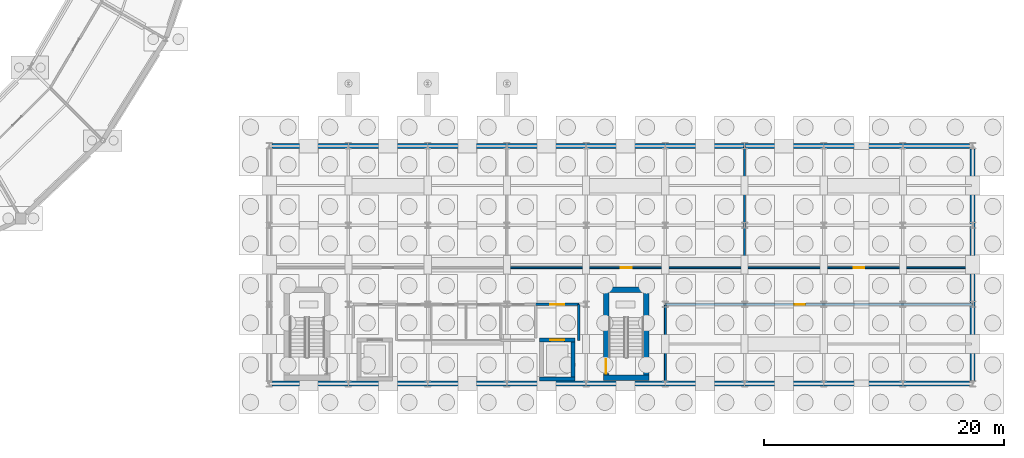
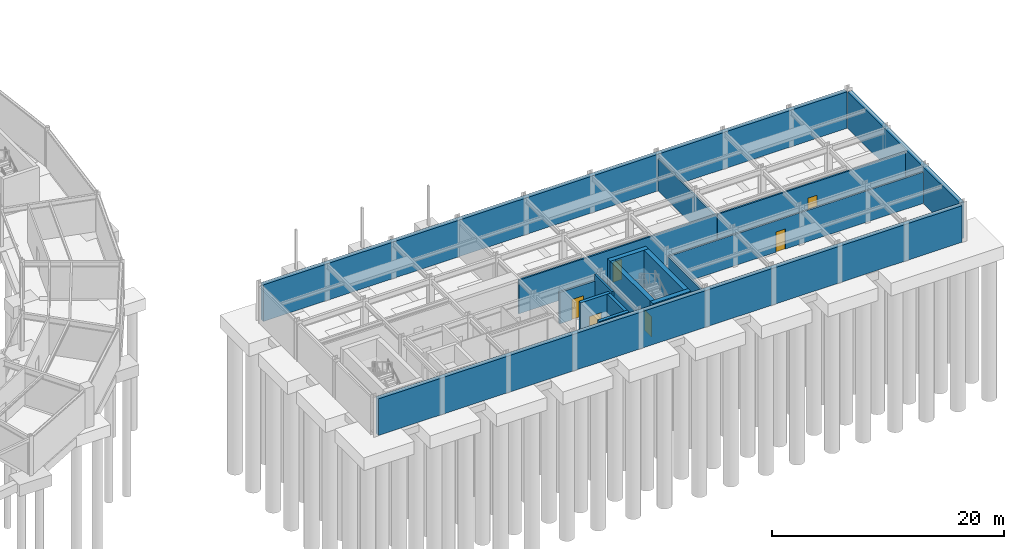
# One storey, part 48 of 58: 17 walls, 6 doors, 6 openings.
"""IFC4 building model written with IfcOpenShell, lengths in metres."""

import ifcopenshell
import ifcopenshell.guid

model = None  # the IFC model being written
_history = None  # IfcOwnerHistory: only IFC2X3 demands one
_inside = {}  # id of a spatial element -> (the spatial element, [elements in it])
_under = {}  # id of a project, library or spatial element -> (it, [spatial elements below it])
_declared = {}  # id of a project -> (the project, [libraries it declares])
_typed = {}  # id of a type object -> (the type object, [elements of that type])
_made_of = {}  # id of a material, layer set ... -> (it, [elements and type objects made of it])


def new_model(schema):
    """Start an empty IFC model of exactly this schema.

    Asked for "IFC4X3", IfcOpenShell would pick the latest addendum, in which some entities
    have other attributes; the version numbers below select the first issue.
    IFC2X3 requires an IfcOwnerHistory on every rooted entity: one is made here for all.
    """
    global model, _history
    if schema == "IFC4X3":
        model = ifcopenshell.file(schema_version=(4, 3, 0, 0))
    else:
        model = ifcopenshell.file(schema=schema)
    _inside.clear()
    _under.clear()
    _declared.clear()
    _typed.clear()
    _made_of.clear()
    _history = None
    if model.schema == "IFC2X3":
        org = make("IfcOrganization", Name="unknown")
        user = make(
            "IfcPersonAndOrganization",
            ThePerson=make("IfcPerson", FamilyName="unknown"),
            TheOrganization=org,
        )
        app = make(
            "IfcApplication",
            ApplicationDeveloper=org,
            Version="unknown",
            ApplicationFullName="unknown",
            ApplicationIdentifier="unknown",
        )
        _history = make(
            "IfcOwnerHistory",
            OwningUser=user,
            OwningApplication=app,
            ChangeAction="ADDED",
            CreationDate=0,
        )
    return model


def make(cls, **values):
    """One entity of the class cls with the attributes given. An attribute that is None is left unset."""
    return model.create_entity(
        cls, **{name: value for name, value in values.items() if value is not None}
    )


def rooted(cls, **values):
    """An entity with a GlobalId (a new one), such as an element, a storey or a relation."""
    return make(cls, GlobalId=ifcopenshell.guid.new(), OwnerHistory=_history, **values)


def si_unit(unit_type, name, prefix=None):
    """IfcSIUnit, for example si_unit("LENGTHUNIT", "METRE", prefix="MILLI")."""
    return make("IfcSIUnit", UnitType=unit_type, Prefix=prefix, Name=name)


def assignment(units):
    """IfcUnitAssignment: the units of a project."""
    return None if units is None else make("IfcUnitAssignment", Units=units)


def point(xyz):
    """IfcCartesianPoint."""
    return None if xyz is None else make("IfcCartesianPoint", Coordinates=xyz)


def direction(xyz):
    """IfcDirection."""
    return None if xyz is None else make("IfcDirection", DirectionRatios=xyz)


def frame(location, z_axis=None, x_axis=None):
    """IfcAxis2Placement3D, a coordinate frame: its origin and axes. An axis left out is left unset."""
    return make(
        "IfcAxis2Placement3D",
        Location=point(location),
        Axis=direction(z_axis),
        RefDirection=direction(x_axis),
    )


def frame_2d(location, x_axis=None):
    """IfcAxis2Placement2D, a coordinate frame in the plane: its origin and x axis."""
    return make(
        "IfcAxis2Placement2D", Location=point(location), RefDirection=direction(x_axis)
    )


def origin():
    """The frame at (0, 0, 0) with its axes left unset."""
    return frame((0.0, 0.0, 0.0))


def place(relative_to, where):
    """IfcLocalPlacement: puts the frame where relative to a parent placement (None: the world)."""
    return make(
        "IfcLocalPlacement", PlacementRelTo=relative_to, RelativePlacement=where
    )


def context(
    kind, dimensions, precision=None, world=None, true_north=None, identifier=None
):
    """IfcGeometricRepresentationContext, for example the 3D "Model" context."""
    return make(
        "IfcGeometricRepresentationContext",
        ContextIdentifier=identifier,
        ContextType=kind,
        CoordinateSpaceDimension=dimensions,
        Precision=precision,
        WorldCoordinateSystem=world,
        TrueNorth=true_north,
    )


def subcontext(parent, identifier, kind, view, scale=None):
    """IfcGeometricRepresentationSubContext, for example "Body" below "Model"."""
    return make(
        "IfcGeometricRepresentationSubContext",
        ContextIdentifier=identifier,
        ContextType=kind,
        ParentContext=parent,
        TargetScale=scale,
        TargetView=view,
    )


def project(units=None, contexts=None):
    """IfcProject with its units and contexts."""
    return rooted(
        "IfcProject",
        Name="project",
        RepresentationContexts=contexts,
        UnitsInContext=assignment(units),
    )


def spatial(cls, under=None, at=None, **own):
    """A site, building, storey or space (cls), placed at a placement, below another one or the project."""
    s = rooted(cls, ObjectPlacement=at, **own)
    if under is not None:
        _under.setdefault(under.id(), (under, []))[1].append(s)
    return s


def profile(cls, at=None, kind="AREA", **sizes):
    """A parametric profile (cls). Its sizes go by their IFC names, for example OverallWidth=200.0."""
    return make(cls, ProfileType=kind, Position=at, **sizes)


def rectangle(**sizes):
    """IfcRectangleProfileDef."""
    return profile("IfcRectangleProfileDef", **sizes)


def extrude(swept, where, along, depth):
    """IfcExtrudedAreaSolid: the profile swept, set in the frame where, extruded along a direction by depth."""
    return make(
        "IfcExtrudedAreaSolid",
        SweptArea=swept,
        Position=where,
        ExtrudedDirection=direction(along),
        Depth=depth,
    )


def shape(context_of_items, identifier, shape_type, items):
    """IfcShapeRepresentation: the items that make up one representation, for example the "Body"."""
    return make(
        "IfcShapeRepresentation",
        ContextOfItems=context_of_items,
        RepresentationIdentifier=identifier,
        RepresentationType=shape_type,
        Items=items,
    )


def material(Name=None, Category=None):
    """IfcMaterial."""
    return make("IfcMaterial", Name=Name, Category=Category)


def layer(
    of_material, thickness, ventilated=None, Name=None, Category=None, Priority=None
):
    """IfcMaterialLayer: one layer of a wall or slab, of a material (None: an air gap)."""
    return make(
        "IfcMaterialLayer",
        Material=of_material,
        LayerThickness=thickness,
        IsVentilated=ventilated,
        Name=Name,
        Category=Category,
        Priority=Priority,
    )


def layer_set(layers, Name=None):
    """IfcMaterialLayerSet."""
    return make("IfcMaterialLayerSet", MaterialLayers=layers, LayerSetName=Name)


def made_of(thing, what):
    """Note that an element or type object is made of a material, layer set ...; save() writes the relation."""
    if what is not None:
        _made_of.setdefault(what.id(), (what, []))[1].append(thing)
    return thing


def type_object(cls, material=None, **own):
    """A type object (cls), such as IfcWallType, which elements share."""
    return made_of(rooted(cls, **own), material)


def element(
    cls,
    number,
    at=None,
    inside=None,
    cuts=None,
    type_object=None,
    material=None,
    context=None,
    identifier="Body",
    shape_type=None,
    held_by="IfcProductDefinitionShape",
    body=None,
    shapes=None,
    **own,
):
    """One element of the class cls, such as IfcWall. Its Tag is "e" and its number.

    at: its placement. inside: the storey or other place that contains it. cuts: it is an
    opening in that element (IfcRelVoidsElement). A single representation is given by context,
    identifier, shape_type and body (its items); several are given by shapes. held_by: the class
    of the entity that holds the representations. save() writes the other relations.
    """
    e = rooted(cls, Tag="e%d" % number, ObjectPlacement=at, **own)
    if body is not None:
        shapes = [shape(context, identifier, shape_type, body)]
    if shapes is not None:
        e.Representation = make(held_by, Representations=shapes)
    if inside is not None:
        _inside.setdefault(inside.id(), (inside, []))[1].append(e)
    if cuts is not None:
        rooted(
            "IfcRelVoidsElement", RelatingBuildingElement=cuts, RelatedOpeningElement=e
        )
    if type_object is not None:
        _typed.setdefault(type_object.id(), (type_object, []))[1].append(e)
    return made_of(e, material)


def fill(opening, filler):
    """IfcRelFillsElement: the door or window that sits in an opening."""
    return rooted(
        "IfcRelFillsElement",
        RelatingOpeningElement=opening,
        RelatedBuildingElement=filler,
    )


def aggregate(whole, parts):
    """IfcRelAggregates: a whole, such as a stair, and the parts it consists of."""
    return rooted("IfcRelAggregates", RelatingObject=whole, RelatedObjects=parts)


def save(model, path):
    """Write the relations noted so far, then the file.

    IfcRelAggregates (storeys below a building ...), IfcRelContainedInSpatialStructure (elements
    in a storey), IfcRelDefinesByType, IfcRelAssociatesMaterial and IfcRelDeclares: one each for
    every whole, place, type object, material and project.
    """
    for whole, parts in _under.values():
        aggregate(whole, parts)
    for where, things in _inside.values():
        rooted(
            "IfcRelContainedInSpatialStructure",
            RelatedElements=things,
            RelatingStructure=where,
        )
    for kind, things in _typed.values():
        rooted("IfcRelDefinesByType", RelatedObjects=things, RelatingType=kind)
    for what, things in _made_of.values():
        rooted("IfcRelAssociatesMaterial", RelatedObjects=things, RelatingMaterial=what)
    for by, libraries in _declared.values():
        rooted("IfcRelDeclares", RelatingContext=by, RelatedDefinitions=libraries)
    model.write(path)


model = new_model("IFC4")

# Units and contexts
model_context = context("Model", 3, precision=1e-05, world=origin(), true_north=direction((0.0, 1.0)))
body_context = subcontext(model_context, "Body", "Model", "MODEL_VIEW")
ifc_project = project(units=[si_unit("LENGTHUNIT", "METRE"), si_unit("AREAUNIT", "SQUARE_METRE"), si_unit("VOLUMEUNIT", "CUBIC_METRE"), si_unit("PLANEANGLEUNIT", "RADIAN"), si_unit("MASSUNIT", "GRAM", prefix="KILO")], contexts=[model_context])

# Site, building, storey
site_placement = place(None, origin())
site = spatial("IfcSite", under=ifc_project, at=site_placement, CompositionType="ELEMENT")
building_placement = place(site_placement, origin())
building = spatial("IfcBuilding", under=site, at=building_placement, Name="Karori Crest Natural Sciences Institute", CompositionType="ELEMENT")
storey_placement = place(building_placement, frame((0.0, 0.0, -4.199951171875)))
storey = spatial("IfcBuildingStorey", under=building, at=storey_placement, Name="B1", CompositionType="ELEMENT", Elevation=-4.199951171875)

# Walls
ifc_material_1 = material(Name="Concrete 50 MPa", Category="concrete")
ifc_layer_1 = layer(ifc_material_1, 0.449951171875, Name="Concrete 50 MPa")
ifc_layer_set_1 = layer_set([ifc_layer_1], Name="Concrete 50 MPa")
wall_type_1 = type_object("IfcWallType", Name="IWT-01", PredefinedType="SHEAR", material=ifc_layer_set_1)
for number, where, z_axis, x_axis, name in (
    (1, (131.449951171875, 1.27490234375, 0.0), (0.0, 0.0, 1.0), (1.0, 0.0, 0.0), "Shear wall IW-0117"),
    (2, (131.449951171875, 8.625, 0.0), (0.0, 0.0, 1.0), (1.0, 0.0, 0.0), "Shear wall IW-0118"),
):
    element("IfcWall", number, at=place(storey_placement, frame(where, z_axis=z_axis, x_axis=x_axis)), inside=storey, type_object=wall_type_1, Name=name, PredefinedType="SHEAR", context=body_context, shape_type="SweptSolid", body=[
        extrude(rectangle(XDim=3.800048828125, YDim=0.449951171875, at=frame_2d((1.89990234375, 0.0))), origin(), (0.0, 0.0, 1.0), 3.93994140625),
    ])

# Wall, opening, door
wall_1_placement = place(storey_placement, frame((131.675048828125, 1.501953125, 0.0), z_axis=(0.0, 0.0, 1.0), x_axis=(0.0, 1.0, 0.0)))
wall_1 = element("IfcWall", 3, at=wall_1_placement, inside=storey, type_object=wall_type_1, Name="Shear wall IW-0119", PredefinedType="SHEAR", context=body_context, shape_type="SweptSolid", body=[
    extrude(rectangle(XDim=6.89599609375, YDim=0.449951171875, at=frame_2d((3.447998046875, 0.0))), origin(), (0.0, 0.0, 1.0), 3.93994140625),
])
opening_1_placement = place(wall_1_placement, frame((0.1201171875, 0.0, 0.0)))
opening_1 = element("IfcOpeningElement", 4, at=opening_1_placement, cuts=wall_1, Name="Opening ID-0030", PredefinedType="OPENING", context=body_context, shape_type="SweptSolid", body=[
    extrude(rectangle(XDim=1.199951171875, YDim=2.14990234375, at=frame_2d((0.60009765625, 1.074951171875))), frame((0.0, 0.23486328125, 0.0), z_axis=(0.0, -1.0, 0.0), x_axis=(1.0, 0.0, 0.0)), (0.0, 0.0, 1.0), 0.469970703125),
])
ifc_material_2 = material(Name="Stainless steel 316 and fire-rated timber", Category="steel")
door_type_1 = type_object("IfcDoorType", Name="IDT-01", OperationType="NOTDEFINED", PredefinedType="DOOR", material=ifc_material_2)
door_1_placement = place(opening_1_placement, origin())
door_1 = element("IfcDoor", 5, at=door_1_placement, inside=storey, type_object=door_type_1, Name="Stair ST-04 fire door ID-0030", OperationType="SINGLE_SWING_RIGHT", OverallHeight=2.14990234375, OverallWidth=1.199951171875, PredefinedType="DOOR", context=body_context, shape_type="SweptSolid", body=[
    extrude(rectangle(XDim=1.199951171875, YDim=2.14990234375, at=frame_2d((0.60009765625, 1.074951171875))), frame((0.0, 0.02490234375, 0.0), z_axis=(0.0, -1.0, 0.0), x_axis=(1.0, 0.0, 0.0)), (0.0, 0.0, 1.0), 0.050048828125),
])
fill(opening_1, door_1)

# Walls
wall_2_placement = place(storey_placement, frame((135.02490234375, 1.501953125, 0.0), z_axis=(0.0, 0.0, 1.0), x_axis=(0.0, 1.0, 0.0)))
element("IfcWall", 6, at=wall_2_placement, inside=storey, type_object=wall_type_1, Name="Shear wall IW-0120", PredefinedType="SHEAR", context=body_context, shape_type="SweptSolid", body=[
    extrude(rectangle(XDim=6.89599609375, YDim=0.449951171875, at=frame_2d((3.447998046875, 0.0))), origin(), (0.0, 0.0, 1.0), 3.93994140625),
])
ifc_layer_2 = layer(ifc_material_1, 0.320068359375, Name="Concrete 50 MPa")
ifc_layer_set_2 = layer_set([ifc_layer_2], Name="Concrete 50 MPa")
wall_type_2 = type_object("IfcWallType", Name="IWT-03", PredefinedType="SHEAR", material=ifc_layer_set_2)
wall_3_placement = place(storey_placement, frame((126.1201171875, 1.179931640625, 0.0), z_axis=(0.0, 0.0, 1.0), x_axis=(1.0, 0.0, 0.0)))
element("IfcWall", 7, at=wall_3_placement, inside=storey, type_object=wall_type_2, Name="Shear wall IW-0353", PredefinedType="SHEAR", context=body_context, shape_type="SweptSolid", body=[
    extrude(rectangle(XDim=2.9599609375, YDim=0.320068359375, at=frame_2d((1.47998046875, 0.0))), origin(), (0.0, 0.0, 1.0), 3.93994140625),
])

# Wall, opening, door
wall_4_placement = place(storey_placement, frame((126.1201171875, 4.419921875, 0.0), z_axis=(0.0, 0.0, 1.0), x_axis=(1.0, 0.0, 0.0)))
wall_4 = element("IfcWall", 8, at=wall_4_placement, inside=storey, type_object=wall_type_2, Name="Shear wall IW-0354", PredefinedType="SHEAR", context=body_context, shape_type="SweptSolid", body=[
    extrude(rectangle(XDim=2.9599609375, YDim=0.320068359375, at=frame_2d((1.47998046875, 0.0))), origin(), (0.0, 0.0, 1.0), 3.93994140625),
])
opening_2_placement = place(wall_4_placement, frame((0.8798828125, 0.0, 0.0)))
opening_2 = element("IfcOpeningElement", 9, at=opening_2_placement, cuts=wall_4, Name="Opening LD-0013", PredefinedType="OPENING", context=body_context, shape_type="SweptSolid", body=[
    extrude(rectangle(XDim=1.199951171875, YDim=2.199951171875, at=frame_2d((0.60009765625, 1.10009765625))), frame((0.0, 0.169921875, 0.0), z_axis=(0.0, -1.0, 0.0), x_axis=(1.0, 0.0, 0.0)), (0.0, 0.0, 1.0), 0.340087890625),
])
door_type_2 = type_object("IfcDoorType", Name="LDT-02", OperationType="SLIDING_TO_LEFT", PredefinedType="DOOR", material=ifc_material_2)
door_2_placement = place(opening_2_placement, origin())
door_2 = element("IfcDoor", 10, at=door_2_placement, inside=storey, type_object=door_type_2, Name="Lift LF-02 landing door LD-0013", OperationType="SLIDING_TO_LEFT", OverallHeight=2.199951171875, OverallWidth=1.199951171875, PredefinedType="DOOR", context=body_context, shape_type="SweptSolid", body=[
    extrude(rectangle(XDim=1.199951171875, YDim=2.199951171875, at=frame_2d((0.60009765625, 1.10009765625))), frame((0.0, 0.02490234375, 0.0), z_axis=(0.0, -1.0, 0.0), x_axis=(1.0, 0.0, 0.0)), (0.0, 0.0, 1.0), 0.050048828125),
])
fill(opening_2, door_2)

# Wall
wall_5_placement = place(storey_placement, frame((128.919921875, 1.342041015625, 0.0), z_axis=(0.0, 0.0, 1.0), x_axis=(0.0, 1.0, 0.0)))
element("IfcWall", 11, at=wall_5_placement, inside=storey, type_object=wall_type_2, Name="Shear wall IW-0356", PredefinedType="SHEAR", context=body_context, shape_type="SweptSolid", body=[
    extrude(rectangle(XDim=2.916015625, YDim=0.320068359375, at=frame_2d((1.4580078125, 0.0))), origin(), (0.0, 0.0, 1.0), 3.93994140625),
])

# Wall, opening, door
ifc_material_3 = material(Name="Concrete 40 MPa", Category="concrete")
ifc_layer_3 = layer(ifc_material_3, 0.199951171875, Name="Concrete 40 MPa")
ifc_layer_set_3 = layer_set([ifc_layer_3], Name="Concrete 40 MPa")
wall_type_3 = type_object("IfcWallType", Name="IWT-04", PredefinedType="SOLIDWALL", material=ifc_layer_set_3)
wall_6_placement = place(storey_placement, frame((125.800048828125, 7.39990234375, 0.0), z_axis=(0.0, 0.0, 1.0), x_axis=(1.0, 0.0, 0.0)))
wall_6 = element("IfcWall", 12, at=wall_6_placement, inside=storey, type_object=wall_type_3, Name="Partition wall IW-0554", PredefinedType="SOLIDWALL", context=body_context, shape_type="SweptSolid", body=[
    extrude(rectangle(XDim=3.599853515625, YDim=0.199951171875, at=frame_2d((1.7998046875, 0.0))), origin(), (0.0, 0.0, 1.0), 3.29296875),
])
opening_3_placement = place(wall_6_placement, frame((1.22509765625, 0.0, 0.0)))
opening_3 = element("IfcOpeningElement", 13, at=opening_3_placement, cuts=wall_6, Name="Opening ID-0078", PredefinedType="OPENING", context=body_context, shape_type="SweptSolid", body=[
    extrude(rectangle(XDim=1.14990234375, YDim=2.14990234375, at=frame_2d((0.574951171875, 1.074951171875))), frame((0.0, 0.10986328125, 0.0), z_axis=(0.0, -1.0, 0.0), x_axis=(1.0, 0.0, 0.0)), (0.0, 0.0, 1.0), 0.219970703125),
])
door_type_3 = type_object("IfcDoorType", Name="IDT-02", OperationType="NOTDEFINED", PredefinedType="DOOR", material=ifc_material_2)
door_3_placement = place(opening_3_placement, origin())
door_3 = element("IfcDoor", 14, at=door_3_placement, inside=storey, type_object=door_type_3, Name="Firefighting Lift Lobby East door ID-0078", OperationType="SINGLE_SWING_RIGHT", OverallHeight=2.14990234375, OverallWidth=1.14990234375, PredefinedType="DOOR", context=body_context, shape_type="SweptSolid", body=[
    extrude(rectangle(XDim=1.14990234375, YDim=2.14990234375, at=frame_2d((0.574951171875, 1.074951171875))), frame((0.0, 0.02490234375, 0.0), z_axis=(0.0, -1.0, 0.0), x_axis=(1.0, 0.0, 0.0)), (0.0, 0.0, 1.0), 0.050048828125),
])
fill(opening_3, door_3)

# Wall
wall_7_placement = place(storey_placement, frame((129.39990234375, 4.39990234375, 0.0), z_axis=(0.0, 0.0, 1.0), x_axis=(0.0, 1.0, 0.0)))
element("IfcWall", 15, at=wall_7_placement, inside=storey, type_object=wall_type_3, Name="Partition wall IW-0556", PredefinedType="SOLIDWALL", context=body_context, shape_type="SweptSolid", body=[
    extrude(rectangle(XDim=3.0, YDim=0.199951171875, at=frame_2d((1.5, 0.0))), origin(), (0.0, 0.0, 1.0), 3.93994140625),
])

# Wall, opening, door
ifc_material_4 = material(Name="Acoustic steel-stud fireboard partition", Category="steel")
ifc_layer_4 = layer(ifc_material_4, 0.159912109375, Name="Acoustic steel-stud fireboard partition")
ifc_layer_set_4 = layer_set([ifc_layer_4], Name="Acoustic steel-stud fireboard partition")
wall_type_4 = type_object("IfcWallType", Name="IWT-05", PredefinedType="PARTITIONING", material=ifc_layer_set_4)
wall_8_placement = place(storey_placement, frame((136.60009765625, 7.39990234375, 0.0), z_axis=(0.0, 0.0, 1.0), x_axis=(1.0, 0.0, 0.0)))
wall_8 = element("IfcWall", 16, at=wall_8_placement, inside=storey, type_object=wall_type_4, Name="Partition wall IW-0568", PredefinedType="PARTITIONING", context=body_context, shape_type="SweptSolid", body=[
    extrude(rectangle(XDim=25.599853515625, YDim=0.159912109375, at=frame_2d((12.7998046875, 0.0))), origin(), (0.0, 0.0, 1.0), 3.29296875),
])
opening_4_placement = place(wall_8_placement, frame((10.739990234375, 0.0, 0.0)))
opening_4 = element("IfcOpeningElement", 17, at=opening_4_placement, cuts=wall_8, Name="Opening ID-0083", PredefinedType="OPENING", context=body_context, shape_type="SweptSolid", body=[
    extrude(rectangle(XDim=0.919921875, YDim=2.1201171875, at=frame_2d((0.4599609375, 1.06005859375))), frame((0.0, 0.08984375, 0.0), z_axis=(0.0, -1.0, 0.0), x_axis=(1.0, 0.0, 0.0)), (0.0, 0.0, 1.0), 0.179931640625),
])
door_type_4 = type_object("IfcDoorType", Name="IDT-14", OperationType="NOTDEFINED", PredefinedType="DOOR", material=ifc_material_2)
door_4_placement = place(opening_4_placement, origin())
door_4 = element("IfcDoor", 18, at=door_4_placement, inside=storey, type_object=door_type_4, Name="Central Chiller and Heat-Pump Plant Room door ID-0083", OperationType="SINGLE_SWING_LEFT", OverallHeight=2.1201171875, OverallWidth=0.919921875, PredefinedType="DOOR", context=body_context, shape_type="SweptSolid", body=[
    extrude(rectangle(XDim=0.919921875, YDim=2.1201171875, at=frame_2d((0.4599609375, 1.06005859375))), frame((0.0, 0.02490234375, 0.0), z_axis=(0.0, -1.0, 0.0), x_axis=(1.0, 0.0, 0.0)), (0.0, 0.0, 1.0), 0.050048828125),
])
fill(opening_4, door_4)

# Wall
wall_9_placement = place(storey_placement, frame((136.60009765625, 0.991943359375, 0.0), z_axis=(0.0, 0.0, 1.0), x_axis=(0.0, 1.0, 0.0)))
element("IfcWall", 19, at=wall_9_placement, inside=storey, type_object=wall_type_4, Name="Partition wall IW-0569", PredefinedType="PARTITIONING", context=body_context, shape_type="SweptSolid", body=[
    extrude(rectangle(XDim=6.326171875, YDim=0.159912109375, at=frame_2d((3.1630859375, 0.0))), origin(), (0.0, 0.0, 1.0), 3.3720703125),
])

# Wall, opening, door
wall_10_placement = place(storey_placement, frame((123.48193359375, 10.449951171875, 0.0), z_axis=(0.0, 0.0, 1.0), x_axis=(1.0, 0.0, 0.0)))
wall_10 = element("IfcWall", 20, at=wall_10_placement, inside=storey, type_object=wall_type_4, Name="Partition wall IW-0572", PredefinedType="PARTITIONING", context=body_context, shape_type="SweptSolid", body=[
    extrude(rectangle(XDim=19.718017578125, YDim=0.159912109375, at=frame_2d((9.85888671875, 0.0))), origin(), (0.0, 0.0, 1.0), 3.5458984375),
])
opening_5_placement = place(wall_10_placement, frame((9.39892578125, 0.0, 0.0)))
opening_5 = element("IfcOpeningElement", 21, at=opening_5_placement, cuts=wall_10, Name="Opening ID-0085", PredefinedType="OPENING", context=body_context, shape_type="SweptSolid", body=[
    extrude(rectangle(XDim=0.919921875, YDim=2.1201171875, at=frame_2d((0.4599609375, 1.06005859375))), frame((0.0, 0.08984375, 0.0), z_axis=(0.0, -1.0, 0.0), x_axis=(1.0, 0.0, 0.0)), (0.0, 0.0, 1.0), 0.179931640625),
])
door_5_placement = place(opening_5_placement, origin())
door_5 = element("IfcDoor", 22, at=door_5_placement, inside=storey, type_object=door_type_4, Name="Dual-Transformer Electrical Substation Plant Room door ID-0085", OperationType="SINGLE_SWING_LEFT", OverallHeight=2.1201171875, OverallWidth=0.919921875, PredefinedType="DOOR", context=body_context, shape_type="SweptSolid", body=[
    extrude(rectangle(XDim=0.919921875, YDim=2.1201171875, at=frame_2d((0.4599609375, 1.06005859375))), frame((0.0, 0.02490234375, 0.0), z_axis=(0.0, -1.0, 0.0), x_axis=(1.0, 0.0, 0.0)), (0.0, 0.0, 1.0), 0.050048828125),
])
fill(opening_5, door_5)

# Wall
wall_11_placement = place(storey_placement, frame((143.199951171875, 10.449951171875, 0.0), z_axis=(0.0, 0.0, 1.0), x_axis=(0.0, 1.0, 0.0)))
element("IfcWall", 23, at=wall_11_placement, inside=storey, type_object=wall_type_4, Name="Partition wall IW-0573", PredefinedType="PARTITIONING", context=body_context, shape_type="SweptSolid", body=[
    extrude(rectangle(XDim=10.150146484375, YDim=0.159912109375, at=frame_2d((5.0751953125, 0.0))), origin(), (0.0, 0.0, 1.0), 3.3720703125),
])

# Wall, opening, door
wall_12_placement = place(storey_placement, frame((143.281982421875, 10.449951171875, 0.0), z_axis=(0.0, 0.0, 1.0), x_axis=(1.0, 0.0, 0.0)))
wall_12 = element("IfcWall", 24, at=wall_12_placement, inside=storey, type_object=wall_type_4, Name="Partition wall IW-0574", PredefinedType="PARTITIONING", context=body_context, shape_type="SweptSolid", body=[
    extrude(rectangle(XDim=18.91796875, YDim=0.159912109375, at=frame_2d((9.458984375, 0.0))), origin(), (0.0, 0.0, 1.0), 3.5458984375),
])
opening_6_placement = place(wall_12_placement, frame((9.009033203125, 0.0, 0.0)))
opening_6 = element("IfcOpeningElement", 25, at=opening_6_placement, cuts=wall_12, Name="Opening ID-0086", PredefinedType="OPENING", context=body_context, shape_type="SweptSolid", body=[
    extrude(rectangle(XDim=0.89990234375, YDim=2.10009765625, at=frame_2d((0.449951171875, 1.050048828125))), frame((0.0, 0.08984375, 0.0), z_axis=(0.0, -1.0, 0.0), x_axis=(1.0, 0.0, 0.0)), (0.0, 0.0, 1.0), 0.179931640625),
])
door_type_5 = type_object("IfcDoorType", Name="IDT-07", OperationType="NOTDEFINED", PredefinedType="DOOR", material=ifc_material_2)
door_6_placement = place(opening_6_placement, origin())
door_6 = element("IfcDoor", 26, at=door_6_placement, inside=storey, type_object=door_type_5, Name="Specimen Cold Store and Trade-Waste Neutralisation Plant door ID-0086", OperationType="SINGLE_SWING_RIGHT", OverallHeight=2.10009765625, OverallWidth=0.89990234375, PredefinedType="DOOR", context=body_context, shape_type="SweptSolid", body=[
    extrude(rectangle(XDim=0.89990234375, YDim=2.10009765625, at=frame_2d((0.449951171875, 1.050048828125))), frame((0.0, 0.02490234375, 0.0), z_axis=(0.0, -1.0, 0.0), x_axis=(1.0, 0.0, 0.0)), (0.0, 0.0, 1.0), 0.050048828125),
])
fill(opening_6, door_6)

# Walls
ifc_layer_5 = layer(ifc_material_3, 0.419921875, Name="Concrete 40 MPa")
ifc_layer_set_5 = layer_set([ifc_layer_5], Name="Concrete 40 MPa")
wall_type_5 = type_object("IfcWallType", Name="WT-09", PredefinedType="USERDEFINED", material=ifc_layer_set_5)
wall_13_placement = place(storey_placement, frame((103.847900390625, 20.60009765625, 0.0), z_axis=(0.0, 0.0, 1.0), x_axis=(1.0, 0.0, 0.0)))
element("IfcWall", 27, at=wall_13_placement, inside=storey, type_object=wall_type_5, Name="Exterior wall EW-0190", ObjectType="RETAININGWALL", PredefinedType="USERDEFINED", context=body_context, shape_type="SweptSolid", body=[
    extrude(rectangle(XDim=58.10400390625, YDim=0.419921875, at=frame_2d((29.052001953125, 0.0))), origin(), (0.0, 0.0, 1.0), 3.849853515625),
])
wall_14_placement = place(storey_placement, frame((162.199951171875, 20.35205078125, 0.0), z_axis=(0.0, 0.0, 1.0), x_axis=(0.0, -1.0, 0.0)))
element("IfcWall", 28, at=wall_14_placement, inside=storey, type_object=wall_type_5, Name="Exterior wall EW-0191", ObjectType="RETAININGWALL", PredefinedType="USERDEFINED", context=body_context, shape_type="SweptSolid", body=[
    extrude(rectangle(XDim=19.303955078125, YDim=0.419921875, at=frame_2d((9.65185546875, 0.0))), origin(), (0.0, 0.0, 1.0), 3.849853515625),
])
wall_15_placement = place(storey_placement, frame((161.951904296875, 0.800048828125, 0.0), z_axis=(0.0, 0.0, 1.0), x_axis=(-1.0, 0.0, 0.0)))
element("IfcWall", 29, at=wall_15_placement, inside=storey, type_object=wall_type_5, Name="Exterior wall EW-0192", ObjectType="RETAININGWALL", PredefinedType="USERDEFINED", context=body_context, shape_type="SweptSolid", body=[
    extrude(rectangle(XDim=58.10400390625, YDim=0.419921875, at=frame_2d((29.052001953125, 0.0))), origin(), (0.0, 0.0, 1.0), 3.849853515625),
])

save(model, "model.ifc")
